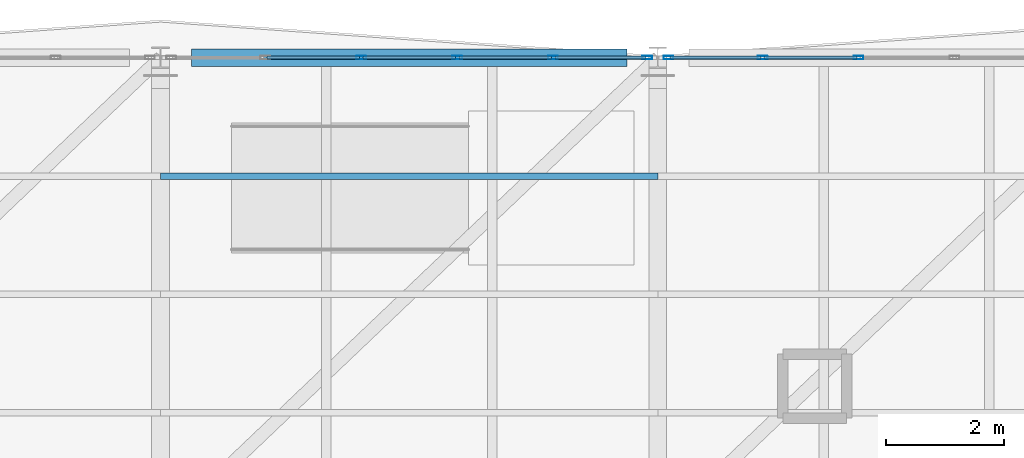
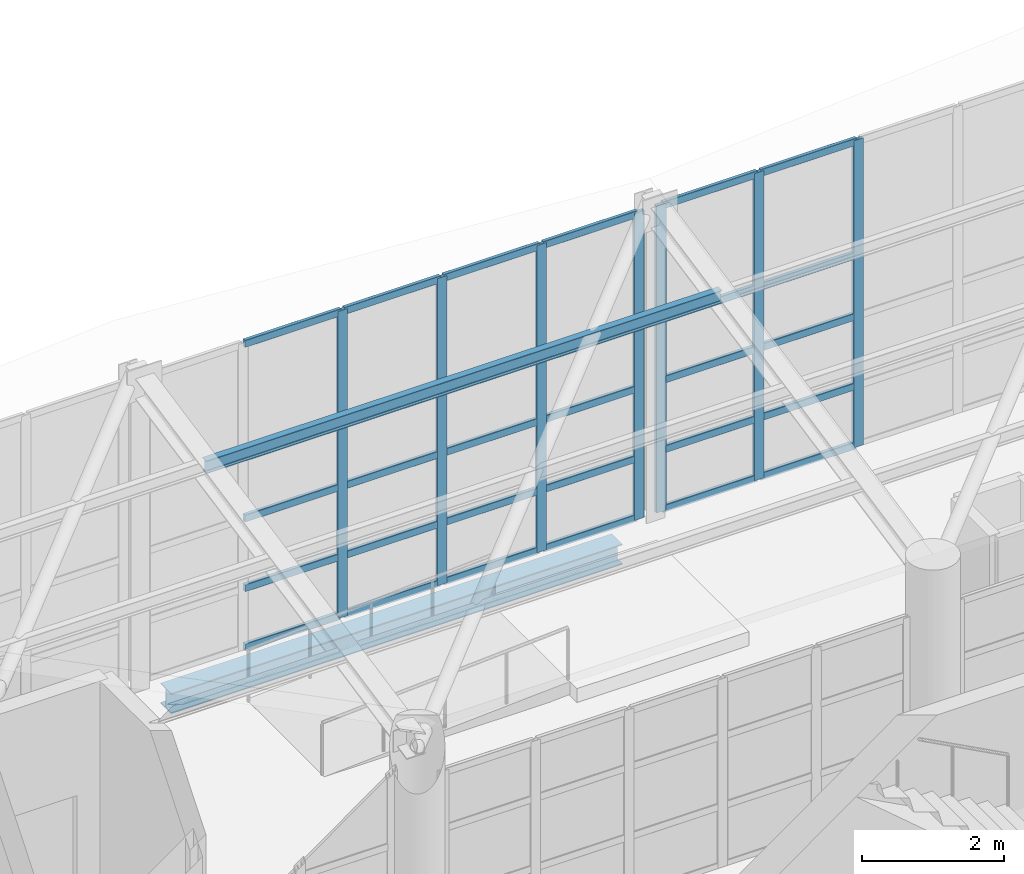
# One storey, part 102 of 177: 38 members, 1 beam, 2 elements without a shape of their own.
"""IFC4 building model written with IfcOpenShell, lengths in metres."""

from ifc_helpers import new_model, si_unit, direction, frame, origin, origin_2d, place, context, subcontext, project, spatial, hollow_rectangle, i_section, extrude, material, layer, layer_set, material_profile, profile_set, type_object, element, aggregate, save


model = new_model("IFC4")

# Units and contexts
model_context = context("Model", 3, precision=1e-05, world=origin(), true_north=direction((0.0, 1.0)))
body_context = subcontext(model_context, "Body", "Model", "MODEL_VIEW")
ifc_project = project(units=[si_unit("LENGTHUNIT", "METRE"), si_unit("AREAUNIT", "SQUARE_METRE"), si_unit("VOLUMEUNIT", "CUBIC_METRE"), si_unit("PLANEANGLEUNIT", "RADIAN"), si_unit("MASSUNIT", "GRAM", prefix="KILO"), si_unit("THERMODYNAMICTEMPERATUREUNIT", "KELVIN"), si_unit("POWERUNIT", "WATT")], contexts=[model_context])

# Site, building, storey
site_placement = place(None, origin())
site = spatial("IfcSite", under=ifc_project, at=site_placement, CompositionType="ELEMENT")
building_placement = place(site_placement, origin())
building = spatial("IfcBuilding", under=site, at=building_placement, Name="Mavoryth Pier Ferry Terminal", CompositionType="ELEMENT")
storey_placement = place(building_placement, frame((0.0, 0.0, 5.43994140625)))
storey = spatial("IfcBuildingStorey", under=building, at=storey_placement, Name="L01", CompositionType="ELEMENT", Elevation=5.43994140625)

# Curtain wall, members
ifc_material_1 = material(Name="Anodised Aluminium and Solar-Control Low-E Glass", Category="aluminium")
ifc_layer = layer(ifc_material_1, 0.139892578125, Name="Anodised Aluminium and Solar-Control Low-E Glass", Category="aluminium")
ifc_layer_set = layer_set([ifc_layer], Name="Anodised Aluminium and Solar-Control Low-E Glass - CW-Gallery-Mod1600")
curtain_wall_type = type_object("IfcCurtainWallType", Name="CW-Gallery-Mod1600", PredefinedType="USERDEFINED", material=ifc_layer_set)
curtain_wall_1_placement = place(storey_placement, origin())
curtain_wall_1 = element("IfcCurtainWall", 1, at=curtain_wall_1_placement, inside=storey, type_object=curtain_wall_type, Name="Curtain Wall CW-0122-080", ObjectType="UNITISED CURTAIN WALL", PredefinedType="USERDEFINED")
ifc_material_2 = material(Name="Anodised Aluminium EN AW-6063", Category="aluminium")
ifc_material_profile_1 = material_profile(ifc_material_2, hollow_rectangle(XDim=0.06005859375, YDim=0.1650390625, WallThickness=0.00390625, InnerFilletRadius=0.00390625, OuterFilletRadius=0.008056640625, at=origin_2d()), Name="AL-MULL 165x60x4", Category="aluminium")
ifc_profile_set_1 = profile_set([ifc_material_profile_1], Name="Anodised Aluminium EN AW-6063 - AL-MULL 165x60x4")
member_type_1 = type_object("IfcMemberType", Name="Mullion-Alum-165x60", PredefinedType="MULLION", material=ifc_profile_set_1)
member_1_placement = place(storey_placement, frame((83.820068359375, 114.0, 0.0), z_axis=(0.0, 0.0, 1.0), x_axis=(0.0, -1.0, 0.0)))
member_1 = element("IfcMember", 2, at=member_1_placement, type_object=member_type_1, Name="CW05 mullion 1", PredefinedType="MULLION", context=body_context, shape_type="SweptSolid", body=[
    extrude(hollow_rectangle(XDim=0.06005859375, YDim=0.1650390625, WallThickness=0.00390625, InnerFilletRadius=0.00390625, OuterFilletRadius=0.008056640625, at=origin_2d()), origin(), (0.0, 0.0, 1.0), 5.28759765625),
])
member_2_placement = place(storey_placement, frame((82.22998046875, 114.0, 0.0), z_axis=(0.0, 0.0, 1.0), x_axis=(0.0, -1.0, 0.0)))
member_2 = element("IfcMember", 3, at=member_2_placement, type_object=member_type_1, Name="CW05 mullion 2", PredefinedType="MULLION", context=body_context, shape_type="SweptSolid", body=[
    extrude(hollow_rectangle(XDim=0.06005859375, YDim=0.1650390625, WallThickness=0.00390625, InnerFilletRadius=0.00390625, OuterFilletRadius=0.008056640625, at=origin_2d()), origin(), (0.0, 0.0, 1.0), 5.28759765625),
])
member_3_placement = place(storey_placement, frame((80.610107421875, 114.0, 0.0), z_axis=(0.0, 0.0, 1.0), x_axis=(0.0, -1.0, 0.0)))
member_3 = element("IfcMember", 4, at=member_3_placement, type_object=member_type_1, Name="CW05 mullion 3", PredefinedType="MULLION", context=body_context, shape_type="SweptSolid", body=[
    extrude(hollow_rectangle(XDim=0.06005859375, YDim=0.1650390625, WallThickness=0.00390625, InnerFilletRadius=0.00390625, OuterFilletRadius=0.008056640625, at=origin_2d()), origin(), (0.0, 0.0, 1.0), 5.28759765625),
])
member_4_placement = place(storey_placement, frame((78.989990234375, 114.0, 0.0), z_axis=(0.0, 0.0, 1.0), x_axis=(0.0, -1.0, 0.0)))
member_4 = element("IfcMember", 5, at=member_4_placement, type_object=member_type_1, Name="CW05 mullion 4", PredefinedType="MULLION", context=body_context, shape_type="SweptSolid", body=[
    extrude(hollow_rectangle(XDim=0.06005859375, YDim=0.1650390625, WallThickness=0.00390625, InnerFilletRadius=0.00390625, OuterFilletRadius=0.008056640625, at=origin_2d()), origin(), (0.0, 0.0, 1.0), 5.28759765625),
])

curtain_wall_2_placement = place(storey_placement, origin())
curtain_wall_2 = element("IfcCurtainWall", 6, at=curtain_wall_2_placement, inside=storey, type_object=curtain_wall_type, Name="Curtain Wall CW-0122-081", ObjectType="UNITISED CURTAIN WALL", PredefinedType="USERDEFINED")
member_5_placement = place(storey_placement, frame((87.389892578125, 114.0, 0.0), z_axis=(0.0, 0.0, 1.0), x_axis=(0.0, -1.0, 0.0)))
member_5 = element("IfcMember", 7, at=member_5_placement, type_object=member_type_1, Name="CW05 mullion 4", PredefinedType="MULLION", context=body_context, shape_type="SweptSolid", body=[
    extrude(hollow_rectangle(XDim=0.06005859375, YDim=0.1650390625, WallThickness=0.00390625, InnerFilletRadius=0.00390625, OuterFilletRadius=0.008056640625, at=origin_2d()), origin(), (0.0, 0.0, 1.0), 5.28759765625),
])
member_6_placement = place(storey_placement, frame((85.77001953125, 114.0, 0.0), z_axis=(0.0, 0.0, 1.0), x_axis=(0.0, -1.0, 0.0)))
member_6 = element("IfcMember", 8, at=member_6_placement, type_object=member_type_1, Name="CW05 mullion 5", PredefinedType="MULLION", context=body_context, shape_type="SweptSolid", body=[
    extrude(hollow_rectangle(XDim=0.06005859375, YDim=0.1650390625, WallThickness=0.00390625, InnerFilletRadius=0.00390625, OuterFilletRadius=0.008056640625, at=origin_2d()), origin(), (0.0, 0.0, 1.0), 5.28759765625),
])
member_7_placement = place(storey_placement, frame((84.179931640625, 114.0, 0.0), z_axis=(0.0, 0.0, 1.0), x_axis=(0.0, -1.0, 0.0)))
member_7 = element("IfcMember", 9, at=member_7_placement, type_object=member_type_1, Name="CW05 mullion 6", PredefinedType="MULLION", context=body_context, shape_type="SweptSolid", body=[
    extrude(hollow_rectangle(XDim=0.06005859375, YDim=0.1650390625, WallThickness=0.00390625, InnerFilletRadius=0.00390625, OuterFilletRadius=0.008056640625, at=origin_2d()), origin(), (0.0, 0.0, 1.0), 5.28759765625),
])

# Member
ifc_material_3 = material(Name="Steel S355J2", Category="steel")
ifc_material_profile_2 = material_profile(ifc_material_3, i_section(OverallWidth=0.110107421875, OverallDepth=0.219970703125, WebThickness=0.005859375, FlangeThickness=0.00927734375, FilletRadius=0.011962890625, at=origin_2d()), Name="IPE 220", Category="steel")
ifc_profile_set_2 = profile_set([ifc_material_profile_2], Name="Steel S355J2 - IPE 220")
member_type_2 = type_object("IfcMemberType", Name="Purlin-Roof-IPE220", PredefinedType="PURLIN", material=ifc_profile_set_2)
member_8_placement = place(storey_placement, frame((75.60009765625, 112.0, 4.991943359375), z_axis=(1.0, 0.0, 0.0), x_axis=(0.0, 1.0, 0.0)))
element("IfcMember", 10, at=member_8_placement, inside=storey, type_object=member_type_2, Name="Steel Member MB-L01-0264", PredefinedType="PURLIN", context=body_context, shape_type="SweptSolid", body=[
    extrude(i_section(OverallWidth=0.110107421875, OverallDepth=0.219970703125, WebThickness=0.005859375, FlangeThickness=0.00927734375, FilletRadius=0.011962890625, at=origin_2d()), origin(), (0.0, 0.0, 1.0), 8.39990234375),
])

# Beam
ifc_material_profile_3 = material_profile(ifc_material_3, i_section(OverallWidth=0.300048828125, OverallDepth=0.35009765625, WebThickness=0.010009765625, FlangeThickness=0.017578125, FilletRadius=0.027099609375, at=origin_2d()), Name="HEA 360", Category="steel")
ifc_profile_set_3 = profile_set([ifc_material_profile_3], Name="Steel S355J2 - HEA 360")
beam_type = type_object("IfcBeamType", Name="Spandrel-Steel-HEA360", PredefinedType="SPANDREL", material=ifc_profile_set_3)
beam_placement = place(storey_placement, frame((76.125, 114.0, -0.4150390625), z_axis=(1.0, 0.0, 0.0), x_axis=(0.0, 1.0, 0.0)))
element("IfcBeam", 11, at=beam_placement, inside=storey, type_object=beam_type, Name="Beam B01-SP03-0269", PredefinedType="SPANDREL", context=body_context, shape_type="SweptSolid", body=[
    extrude(i_section(OverallWidth=0.300048828125, OverallDepth=0.35009765625, WebThickness=0.010009765625, FlangeThickness=0.017578125, FilletRadius=0.027099609375, at=origin_2d()), origin(), (0.0, 0.0, 1.0), 7.35009765625),
])

# Member
ifc_material_profile_4 = material_profile(ifc_material_2, hollow_rectangle(XDim=0.06005859375, YDim=0.125, WallThickness=0.00390625, InnerFilletRadius=0.00390625, OuterFilletRadius=0.008056640625, at=origin_2d()), Name="AL-TRAN 125x60x4", Category="aluminium")
ifc_profile_set_4 = profile_set([ifc_material_profile_4], Name="Anodised Aluminium EN AW-6063 - AL-TRAN 125x60x4")
member_type_3 = type_object("IfcMemberType", Name="Transom-Alum-125x60", PredefinedType="USERDEFINED", material=ifc_profile_set_4)
member_9_placement = place(storey_placement, frame((83.7900390625, 114.0, 0.030029296875), z_axis=(-1.0, 0.0, 0.0), x_axis=(0.0, -1.0, 0.0)))
member_9 = element("IfcMember", 12, at=member_9_placement, type_object=member_type_3, Name="CW05 transom 1.1", ObjectType="TRANSOM", PredefinedType="USERDEFINED", context=body_context, shape_type="SweptSolid", body=[
    extrude(hollow_rectangle(XDim=0.06005859375, YDim=0.125, WallThickness=0.00390625, InnerFilletRadius=0.00390625, OuterFilletRadius=0.008056640625, at=origin_2d()), origin(), (0.0, 0.0, 1.0), 1.530029296875),
])

member_10_placement = place(storey_placement, frame((83.7900390625, 114.0, 1.050048828125), z_axis=(-1.0, 0.0, 0.0), x_axis=(0.0, -1.0, 0.0)))
member_10 = element("IfcMember", 13, at=member_10_placement, type_object=member_type_3, Name="CW05 transom 1.2", ObjectType="TRANSOM", PredefinedType="USERDEFINED", context=body_context, shape_type="SweptSolid", body=[
    extrude(hollow_rectangle(XDim=0.06005859375, YDim=0.125, WallThickness=0.00390625, InnerFilletRadius=0.00390625, OuterFilletRadius=0.008056640625, at=origin_2d()), origin(), (0.0, 0.0, 1.0), 1.530029296875),
])

member_11_placement = place(storey_placement, frame((83.7900390625, 114.0, 2.25), z_axis=(-1.0, 0.0, 0.0), x_axis=(0.0, -1.0, 0.0)))
member_11 = element("IfcMember", 14, at=member_11_placement, type_object=member_type_3, Name="CW05 transom 1.3", ObjectType="TRANSOM", PredefinedType="USERDEFINED", context=body_context, shape_type="SweptSolid", body=[
    extrude(hollow_rectangle(XDim=0.06005859375, YDim=0.125, WallThickness=0.00390625, InnerFilletRadius=0.00390625, OuterFilletRadius=0.008056640625, at=origin_2d()), origin(), (0.0, 0.0, 1.0), 1.530029296875),
])

member_12_placement = place(storey_placement, frame((83.7900390625, 114.0, 3.300048828125), z_axis=(-1.0, 0.0, 0.0), x_axis=(0.0, -1.0, 0.0)))
member_12 = element("IfcMember", 15, at=member_12_placement, type_object=member_type_3, Name="CW05 transom 1.4", ObjectType="TRANSOM", PredefinedType="USERDEFINED", context=body_context, shape_type="SweptSolid", body=[
    extrude(hollow_rectangle(XDim=0.06005859375, YDim=0.125, WallThickness=0.00390625, InnerFilletRadius=0.00390625, OuterFilletRadius=0.008056640625, at=origin_2d()), origin(), (0.0, 0.0, 1.0), 1.530029296875),
])

member_13_placement = place(storey_placement, frame((83.7900390625, 114.0, 5.257568359375), z_axis=(-1.0, 0.0, 0.0), x_axis=(0.0, -1.0, 0.0)))
member_13 = element("IfcMember", 16, at=member_13_placement, type_object=member_type_3, Name="CW05 transom 1.5", ObjectType="TRANSOM", PredefinedType="USERDEFINED", context=body_context, shape_type="SweptSolid", body=[
    extrude(hollow_rectangle(XDim=0.06005859375, YDim=0.125, WallThickness=0.00390625, InnerFilletRadius=0.00390625, OuterFilletRadius=0.008056640625, at=origin_2d()), origin(), (0.0, 0.0, 1.0), 1.530029296875),
])

member_14_placement = place(storey_placement, frame((82.199951171875, 114.0, 0.030029296875), z_axis=(-1.0, 0.0, 0.0), x_axis=(0.0, -1.0, 0.0)))
member_14 = element("IfcMember", 17, at=member_14_placement, type_object=member_type_3, Name="CW05 transom 2.1", ObjectType="TRANSOM", PredefinedType="USERDEFINED", context=body_context, shape_type="SweptSolid", body=[
    extrude(hollow_rectangle(XDim=0.06005859375, YDim=0.125, WallThickness=0.00390625, InnerFilletRadius=0.00390625, OuterFilletRadius=0.008056640625, at=origin_2d()), origin(), (0.0, 0.0, 1.0), 1.56005859375),
])

member_15_placement = place(storey_placement, frame((82.199951171875, 114.0, 1.050048828125), z_axis=(-1.0, 0.0, 0.0), x_axis=(0.0, -1.0, 0.0)))
member_15 = element("IfcMember", 18, at=member_15_placement, type_object=member_type_3, Name="CW05 transom 2.2", ObjectType="TRANSOM", PredefinedType="USERDEFINED", context=body_context, shape_type="SweptSolid", body=[
    extrude(hollow_rectangle(XDim=0.06005859375, YDim=0.125, WallThickness=0.00390625, InnerFilletRadius=0.00390625, OuterFilletRadius=0.008056640625, at=origin_2d()), origin(), (0.0, 0.0, 1.0), 1.56005859375),
])

member_16_placement = place(storey_placement, frame((82.199951171875, 114.0, 2.25), z_axis=(-1.0, 0.0, 0.0), x_axis=(0.0, -1.0, 0.0)))
member_16 = element("IfcMember", 19, at=member_16_placement, type_object=member_type_3, Name="CW05 transom 2.3", ObjectType="TRANSOM", PredefinedType="USERDEFINED", context=body_context, shape_type="SweptSolid", body=[
    extrude(hollow_rectangle(XDim=0.06005859375, YDim=0.125, WallThickness=0.00390625, InnerFilletRadius=0.00390625, OuterFilletRadius=0.008056640625, at=origin_2d()), origin(), (0.0, 0.0, 1.0), 1.56005859375),
])

member_17_placement = place(storey_placement, frame((82.199951171875, 114.0, 3.300048828125), z_axis=(-1.0, 0.0, 0.0), x_axis=(0.0, -1.0, 0.0)))
member_17 = element("IfcMember", 20, at=member_17_placement, type_object=member_type_3, Name="CW05 transom 2.4", ObjectType="TRANSOM", PredefinedType="USERDEFINED", context=body_context, shape_type="SweptSolid", body=[
    extrude(hollow_rectangle(XDim=0.06005859375, YDim=0.125, WallThickness=0.00390625, InnerFilletRadius=0.00390625, OuterFilletRadius=0.008056640625, at=origin_2d()), origin(), (0.0, 0.0, 1.0), 1.56005859375),
])

member_18_placement = place(storey_placement, frame((82.199951171875, 114.0, 5.257568359375), z_axis=(-1.0, 0.0, 0.0), x_axis=(0.0, -1.0, 0.0)))
member_18 = element("IfcMember", 21, at=member_18_placement, type_object=member_type_3, Name="CW05 transom 2.5", ObjectType="TRANSOM", PredefinedType="USERDEFINED", context=body_context, shape_type="SweptSolid", body=[
    extrude(hollow_rectangle(XDim=0.06005859375, YDim=0.125, WallThickness=0.00390625, InnerFilletRadius=0.00390625, OuterFilletRadius=0.008056640625, at=origin_2d()), origin(), (0.0, 0.0, 1.0), 1.56005859375),
])

member_19_placement = place(storey_placement, frame((80.580078125, 114.0, 0.030029296875), z_axis=(-1.0, 0.0, 0.0), x_axis=(0.0, -1.0, 0.0)))
member_19 = element("IfcMember", 22, at=member_19_placement, type_object=member_type_3, Name="CW05 transom 3.1", ObjectType="TRANSOM", PredefinedType="USERDEFINED", context=body_context, shape_type="SweptSolid", body=[
    extrude(hollow_rectangle(XDim=0.06005859375, YDim=0.125, WallThickness=0.00390625, InnerFilletRadius=0.00390625, OuterFilletRadius=0.008056640625, at=origin_2d()), origin(), (0.0, 0.0, 1.0), 1.56005859375),
])

member_20_placement = place(storey_placement, frame((80.580078125, 114.0, 1.050048828125), z_axis=(-1.0, 0.0, 0.0), x_axis=(0.0, -1.0, 0.0)))
member_20 = element("IfcMember", 23, at=member_20_placement, type_object=member_type_3, Name="CW05 transom 3.2", ObjectType="TRANSOM", PredefinedType="USERDEFINED", context=body_context, shape_type="SweptSolid", body=[
    extrude(hollow_rectangle(XDim=0.06005859375, YDim=0.125, WallThickness=0.00390625, InnerFilletRadius=0.00390625, OuterFilletRadius=0.008056640625, at=origin_2d()), origin(), (0.0, 0.0, 1.0), 1.56005859375),
])

member_21_placement = place(storey_placement, frame((80.580078125, 114.0, 2.25), z_axis=(-1.0, 0.0, 0.0), x_axis=(0.0, -1.0, 0.0)))
member_21 = element("IfcMember", 24, at=member_21_placement, type_object=member_type_3, Name="CW05 transom 3.3", ObjectType="TRANSOM", PredefinedType="USERDEFINED", context=body_context, shape_type="SweptSolid", body=[
    extrude(hollow_rectangle(XDim=0.06005859375, YDim=0.125, WallThickness=0.00390625, InnerFilletRadius=0.00390625, OuterFilletRadius=0.008056640625, at=origin_2d()), origin(), (0.0, 0.0, 1.0), 1.56005859375),
])

member_22_placement = place(storey_placement, frame((80.580078125, 114.0, 3.300048828125), z_axis=(-1.0, 0.0, 0.0), x_axis=(0.0, -1.0, 0.0)))
member_22 = element("IfcMember", 25, at=member_22_placement, type_object=member_type_3, Name="CW05 transom 3.4", ObjectType="TRANSOM", PredefinedType="USERDEFINED", context=body_context, shape_type="SweptSolid", body=[
    extrude(hollow_rectangle(XDim=0.06005859375, YDim=0.125, WallThickness=0.00390625, InnerFilletRadius=0.00390625, OuterFilletRadius=0.008056640625, at=origin_2d()), origin(), (0.0, 0.0, 1.0), 1.56005859375),
])

member_23_placement = place(storey_placement, frame((80.580078125, 114.0, 5.257568359375), z_axis=(-1.0, 0.0, 0.0), x_axis=(0.0, -1.0, 0.0)))
member_23 = element("IfcMember", 26, at=member_23_placement, type_object=member_type_3, Name="CW05 transom 3.5", ObjectType="TRANSOM", PredefinedType="USERDEFINED", context=body_context, shape_type="SweptSolid", body=[
    extrude(hollow_rectangle(XDim=0.06005859375, YDim=0.125, WallThickness=0.00390625, InnerFilletRadius=0.00390625, OuterFilletRadius=0.008056640625, at=origin_2d()), origin(), (0.0, 0.0, 1.0), 1.56005859375),
])

member_24_placement = place(storey_placement, frame((78.9599609375, 114.0, 0.030029296875), z_axis=(-1.0, 0.0, 0.0), x_axis=(0.0, -1.0, 0.0)))
member_24 = element("IfcMember", 27, at=member_24_placement, type_object=member_type_3, Name="CW05 transom 4.1", ObjectType="TRANSOM", PredefinedType="USERDEFINED", context=body_context, shape_type="SweptSolid", body=[
    extrude(hollow_rectangle(XDim=0.06005859375, YDim=0.125, WallThickness=0.00390625, InnerFilletRadius=0.00390625, OuterFilletRadius=0.008056640625, at=origin_2d()), origin(), (0.0, 0.0, 1.0), 1.56005859375),
])

member_25_placement = place(storey_placement, frame((78.9599609375, 114.0, 1.050048828125), z_axis=(-1.0, 0.0, 0.0), x_axis=(0.0, -1.0, 0.0)))
member_25 = element("IfcMember", 28, at=member_25_placement, type_object=member_type_3, Name="CW05 transom 4.2", ObjectType="TRANSOM", PredefinedType="USERDEFINED", context=body_context, shape_type="SweptSolid", body=[
    extrude(hollow_rectangle(XDim=0.06005859375, YDim=0.125, WallThickness=0.00390625, InnerFilletRadius=0.00390625, OuterFilletRadius=0.008056640625, at=origin_2d()), origin(), (0.0, 0.0, 1.0), 1.56005859375),
])

member_26_placement = place(storey_placement, frame((78.9599609375, 114.0, 2.25), z_axis=(-1.0, 0.0, 0.0), x_axis=(0.0, -1.0, 0.0)))
member_26 = element("IfcMember", 29, at=member_26_placement, type_object=member_type_3, Name="CW05 transom 4.3", ObjectType="TRANSOM", PredefinedType="USERDEFINED", context=body_context, shape_type="SweptSolid", body=[
    extrude(hollow_rectangle(XDim=0.06005859375, YDim=0.125, WallThickness=0.00390625, InnerFilletRadius=0.00390625, OuterFilletRadius=0.008056640625, at=origin_2d()), origin(), (0.0, 0.0, 1.0), 1.56005859375),
])

member_27_placement = place(storey_placement, frame((78.9599609375, 114.0, 3.300048828125), z_axis=(-1.0, 0.0, 0.0), x_axis=(0.0, -1.0, 0.0)))
member_27 = element("IfcMember", 30, at=member_27_placement, type_object=member_type_3, Name="CW05 transom 4.4", ObjectType="TRANSOM", PredefinedType="USERDEFINED", context=body_context, shape_type="SweptSolid", body=[
    extrude(hollow_rectangle(XDim=0.06005859375, YDim=0.125, WallThickness=0.00390625, InnerFilletRadius=0.00390625, OuterFilletRadius=0.008056640625, at=origin_2d()), origin(), (0.0, 0.0, 1.0), 1.56005859375),
])

member_28_placement = place(storey_placement, frame((78.9599609375, 114.0, 5.257568359375), z_axis=(-1.0, 0.0, 0.0), x_axis=(0.0, -1.0, 0.0)))
member_28 = element("IfcMember", 31, at=member_28_placement, type_object=member_type_3, Name="CW05 transom 4.5", ObjectType="TRANSOM", PredefinedType="USERDEFINED", context=body_context, shape_type="SweptSolid", body=[
    extrude(hollow_rectangle(XDim=0.06005859375, YDim=0.125, WallThickness=0.00390625, InnerFilletRadius=0.00390625, OuterFilletRadius=0.008056640625, at=origin_2d()), origin(), (0.0, 0.0, 1.0), 1.56005859375),
])

aggregate(curtain_wall_1, [member_1, member_2, member_3, member_4, member_9, member_10, member_11, member_12, member_13, member_14, member_15, member_16, member_17, member_18, member_19, member_20, member_21, member_22, member_23, member_24, member_25, member_26, member_27, member_28])

member_29_placement = place(storey_placement, frame((87.360107421875, 114.0, 0.030029296875), z_axis=(-1.0, 0.0, 0.0), x_axis=(0.0, -1.0, 0.0)))
member_29 = element("IfcMember", 32, at=member_29_placement, type_object=member_type_3, Name="CW05 transom 4.1", ObjectType="TRANSOM", PredefinedType="USERDEFINED", context=body_context, shape_type="SweptSolid", body=[
    extrude(hollow_rectangle(XDim=0.06005859375, YDim=0.125, WallThickness=0.00390625, InnerFilletRadius=0.00390625, OuterFilletRadius=0.008056640625, at=origin_2d()), origin(), (0.0, 0.0, 1.0), 1.56005859375),
])

member_30_placement = place(storey_placement, frame((87.360107421875, 114.0, 1.050048828125), z_axis=(-1.0, 0.0, 0.0), x_axis=(0.0, -1.0, 0.0)))
member_30 = element("IfcMember", 33, at=member_30_placement, type_object=member_type_3, Name="CW05 transom 4.2", ObjectType="TRANSOM", PredefinedType="USERDEFINED", context=body_context, shape_type="SweptSolid", body=[
    extrude(hollow_rectangle(XDim=0.06005859375, YDim=0.125, WallThickness=0.00390625, InnerFilletRadius=0.00390625, OuterFilletRadius=0.008056640625, at=origin_2d()), origin(), (0.0, 0.0, 1.0), 1.56005859375),
])

member_31_placement = place(storey_placement, frame((87.360107421875, 114.0, 2.25), z_axis=(-1.0, 0.0, 0.0), x_axis=(0.0, -1.0, 0.0)))
member_31 = element("IfcMember", 34, at=member_31_placement, type_object=member_type_3, Name="CW05 transom 4.3", ObjectType="TRANSOM", PredefinedType="USERDEFINED", context=body_context, shape_type="SweptSolid", body=[
    extrude(hollow_rectangle(XDim=0.06005859375, YDim=0.125, WallThickness=0.00390625, InnerFilletRadius=0.00390625, OuterFilletRadius=0.008056640625, at=origin_2d()), origin(), (0.0, 0.0, 1.0), 1.56005859375),
])

member_32_placement = place(storey_placement, frame((87.360107421875, 114.0, 3.300048828125), z_axis=(-1.0, 0.0, 0.0), x_axis=(0.0, -1.0, 0.0)))
member_32 = element("IfcMember", 35, at=member_32_placement, type_object=member_type_3, Name="CW05 transom 4.4", ObjectType="TRANSOM", PredefinedType="USERDEFINED", context=body_context, shape_type="SweptSolid", body=[
    extrude(hollow_rectangle(XDim=0.06005859375, YDim=0.125, WallThickness=0.00390625, InnerFilletRadius=0.00390625, OuterFilletRadius=0.008056640625, at=origin_2d()), origin(), (0.0, 0.0, 1.0), 1.56005859375),
])

member_33_placement = place(storey_placement, frame((87.360107421875, 114.0, 5.257568359375), z_axis=(-1.0, 0.0, 0.0), x_axis=(0.0, -1.0, 0.0)))
member_33 = element("IfcMember", 36, at=member_33_placement, type_object=member_type_3, Name="CW05 transom 4.5", ObjectType="TRANSOM", PredefinedType="USERDEFINED", context=body_context, shape_type="SweptSolid", body=[
    extrude(hollow_rectangle(XDim=0.06005859375, YDim=0.125, WallThickness=0.00390625, InnerFilletRadius=0.00390625, OuterFilletRadius=0.008056640625, at=origin_2d()), origin(), (0.0, 0.0, 1.0), 1.56005859375),
])

member_34_placement = place(storey_placement, frame((85.739990234375, 114.0, 0.030029296875), z_axis=(-1.0, 0.0, 0.0), x_axis=(0.0, -1.0, 0.0)))
member_34 = element("IfcMember", 37, at=member_34_placement, type_object=member_type_3, Name="CW05 transom 5.1", ObjectType="TRANSOM", PredefinedType="USERDEFINED", context=body_context, shape_type="SweptSolid", body=[
    extrude(hollow_rectangle(XDim=0.06005859375, YDim=0.125, WallThickness=0.00390625, InnerFilletRadius=0.00390625, OuterFilletRadius=0.008056640625, at=origin_2d()), origin(), (0.0, 0.0, 1.0), 1.530029296875),
])

member_35_placement = place(storey_placement, frame((85.739990234375, 114.0, 1.050048828125), z_axis=(-1.0, 0.0, 0.0), x_axis=(0.0, -1.0, 0.0)))
member_35 = element("IfcMember", 38, at=member_35_placement, type_object=member_type_3, Name="CW05 transom 5.2", ObjectType="TRANSOM", PredefinedType="USERDEFINED", context=body_context, shape_type="SweptSolid", body=[
    extrude(hollow_rectangle(XDim=0.06005859375, YDim=0.125, WallThickness=0.00390625, InnerFilletRadius=0.00390625, OuterFilletRadius=0.008056640625, at=origin_2d()), origin(), (0.0, 0.0, 1.0), 1.530029296875),
])

member_36_placement = place(storey_placement, frame((85.739990234375, 114.0, 2.25), z_axis=(-1.0, 0.0, 0.0), x_axis=(0.0, -1.0, 0.0)))
member_36 = element("IfcMember", 39, at=member_36_placement, type_object=member_type_3, Name="CW05 transom 5.3", ObjectType="TRANSOM", PredefinedType="USERDEFINED", context=body_context, shape_type="SweptSolid", body=[
    extrude(hollow_rectangle(XDim=0.06005859375, YDim=0.125, WallThickness=0.00390625, InnerFilletRadius=0.00390625, OuterFilletRadius=0.008056640625, at=origin_2d()), origin(), (0.0, 0.0, 1.0), 1.530029296875),
])

member_37_placement = place(storey_placement, frame((85.739990234375, 114.0, 3.300048828125), z_axis=(-1.0, 0.0, 0.0), x_axis=(0.0, -1.0, 0.0)))
member_37 = element("IfcMember", 40, at=member_37_placement, type_object=member_type_3, Name="CW05 transom 5.4", ObjectType="TRANSOM", PredefinedType="USERDEFINED", context=body_context, shape_type="SweptSolid", body=[
    extrude(hollow_rectangle(XDim=0.06005859375, YDim=0.125, WallThickness=0.00390625, InnerFilletRadius=0.00390625, OuterFilletRadius=0.008056640625, at=origin_2d()), origin(), (0.0, 0.0, 1.0), 1.530029296875),
])

member_38_placement = place(storey_placement, frame((85.739990234375, 114.0, 5.257568359375), z_axis=(-1.0, 0.0, 0.0), x_axis=(0.0, -1.0, 0.0)))
member_38 = element("IfcMember", 41, at=member_38_placement, type_object=member_type_3, Name="CW05 transom 5.5", ObjectType="TRANSOM", PredefinedType="USERDEFINED", context=body_context, shape_type="SweptSolid", body=[
    extrude(hollow_rectangle(XDim=0.06005859375, YDim=0.125, WallThickness=0.00390625, InnerFilletRadius=0.00390625, OuterFilletRadius=0.008056640625, at=origin_2d()), origin(), (0.0, 0.0, 1.0), 1.530029296875),
])

aggregate(curtain_wall_2, [member_5, member_6, member_7, member_29, member_30, member_31, member_32, member_33, member_34, member_35, member_36, member_37, member_38])

save(model, "model.ifc")
